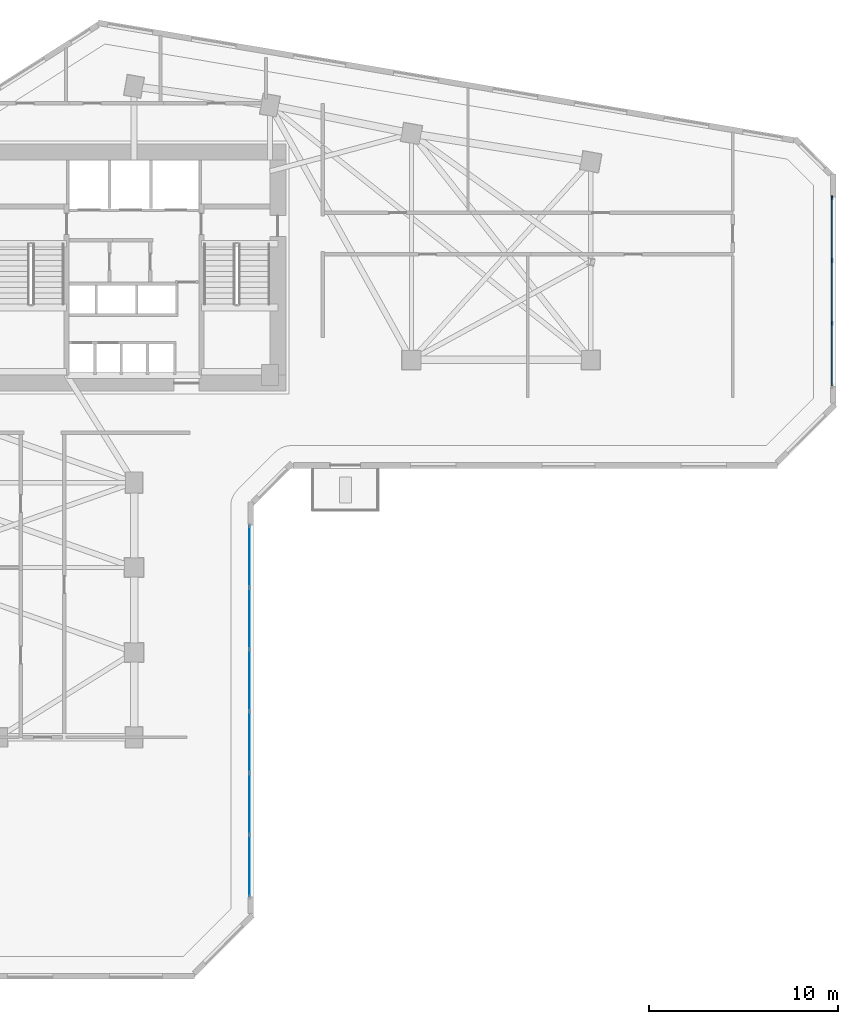
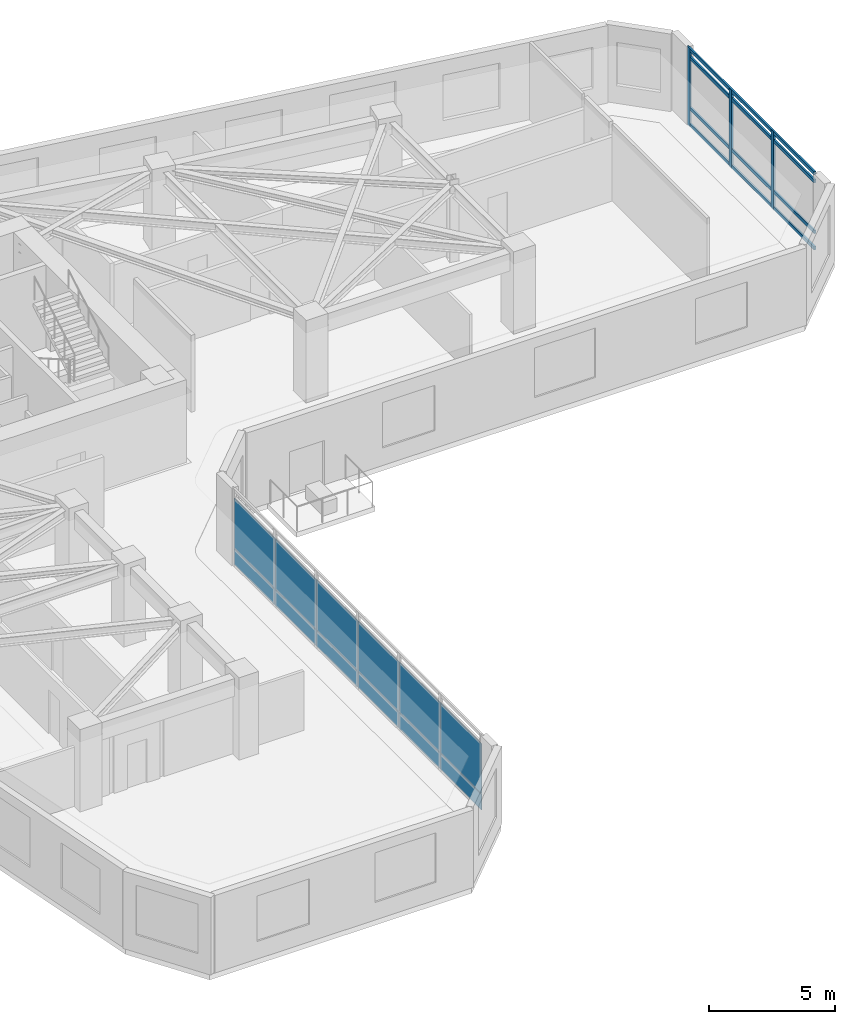
# One storey, part 5 of 11: 12 plates, 7 members, 2 elements without a shape of their own.
"""IFC4 building model written with IfcOpenShell, lengths in metres."""

from ifc_helpers import new_model, si_unit, direction, frame, frame_2d, origin, origin_2d, place, context, subcontext, project, spatial, rectangle, extrude, source, transform, mapped, material, layer, layer_set, material_profile, profile_set, type_object, element, aggregate, save


model = new_model("IFC4")

# Units and contexts
model_context = context("Model", 3, precision=1e-05, world=origin(), true_north=direction((0.0, 1.0)))
body_context = subcontext(model_context, "Body", "Model", "MODEL_VIEW")
ifc_project = project(units=[si_unit("LENGTHUNIT", "METRE"), si_unit("AREAUNIT", "SQUARE_METRE"), si_unit("VOLUMEUNIT", "CUBIC_METRE"), si_unit("PLANEANGLEUNIT", "RADIAN"), si_unit("MASSUNIT", "GRAM", prefix="KILO")], contexts=[model_context])

# Site, building, storey
site_placement = place(None, origin())
site = spatial("IfcSite", under=ifc_project, at=site_placement, CompositionType="ELEMENT")
building_placement = place(site_placement, origin())
building = spatial("IfcBuilding", under=site, at=building_placement, Name="Calvemar Wedge Station Tower", CompositionType="ELEMENT")
storey_placement = place(building_placement, frame((0.0, 0.0, 47.0)))
storey = spatial("IfcBuildingStorey", under=building, at=storey_placement, Name="L11", CompositionType="ELEMENT", Elevation=47.0)

# Curtain wall, members
ifc_material_1 = material(Name="Anodised aluminium 6063-T6", Category="aluminium")
curtain_wall_type = type_object("IfcCurtainWallType", Name="CW1", PredefinedType="NOTDEFINED", material=ifc_material_1)
curtain_wall_1_placement = place(storey_placement, origin())
curtain_wall_1 = element("IfcCurtainWall", 1, at=curtain_wall_1_placement, inside=storey, type_object=curtain_wall_type, Name="Storey L11 CW1 Recessed Unitised Curtain Wall 8", PredefinedType="NOTDEFINED")
ifc_material_profile_1 = material_profile(ifc_material_1, rectangle(XDim=0.080078125, YDim=0.219970703125, at=origin_2d()), Name="AL-MUL-80x220")
ifc_profile_set_1 = profile_set([ifc_material_profile_1], Name="Anodised aluminium 6063-T6")
member_type_1 = type_object("IfcMemberType", Name="CW1-MUL", PredefinedType="MULLION", material=ifc_profile_set_1)
shared_shape_1 = source(origin(), body_context, "Body", "SweptSolid", [
    extrude(rectangle(XDim=0.080078125, YDim=0.219970703125, at=origin_2d()), origin(), (0.0, 0.0, 1.0), 3.800048828125),
])
member_1_placement = place(storey_placement, frame((60.7900390625, 36.947509765625, -0.050048828125), z_axis=(0.0, 0.0, 1.0), x_axis=(1.0, 0.0, 0.0)))
member_1 = element("IfcMember", 2, at=member_1_placement, type_object=member_type_1, Name="CW1 mullion 2", PredefinedType="MULLION", context=body_context, shape_type="MappedRepresentation", body=[
    mapped(shared_shape_1, transform((0.0, 0.0, 0.0), scale=1.0)),
])
member_2_placement = place(storey_placement, frame((60.7900390625, 40.272705078125, -0.050048828125), z_axis=(0.0, 0.0, 1.0), x_axis=(1.0, 0.0, 0.0)))
member_2 = element("IfcMember", 3, at=member_2_placement, type_object=member_type_1, Name="CW1 mullion 3", PredefinedType="MULLION", context=body_context, shape_type="MappedRepresentation", body=[
    mapped(shared_shape_1, transform((0.0, 0.0, 0.0), scale=1.0)),
])
member_3_placement = place(storey_placement, frame((60.7900390625, 43.597900390625, -0.050048828125), z_axis=(0.0, 0.0, 1.0), x_axis=(1.0, 0.0, 0.0)))
member_3 = element("IfcMember", 4, at=member_3_placement, type_object=member_type_1, Name="CW1 mullion 4", PredefinedType="MULLION", context=body_context, shape_type="MappedRepresentation", body=[
    mapped(shared_shape_1, transform((0.0, 0.0, 0.0), scale=1.0)),
])
ifc_material_profile_2 = material_profile(ifc_material_1, rectangle(XDim=0.080078125, YDim=0.159912109375, at=origin_2d()), Name="AL-TRN-80x160")
ifc_profile_set_2 = profile_set([ifc_material_profile_2], Name="Anodised aluminium 6063-T6")
member_type_2 = type_object("IfcMemberType", Name="CW1-TRN", PredefinedType="USERDEFINED", material=ifc_profile_set_2)
shared_shape_2 = source(origin(), body_context, "Body", "SweptSolid", [
    extrude(rectangle(XDim=0.080078125, YDim=0.159912109375, at=origin_2d()), origin(), (0.0, 0.0, 1.0), 9.975830078125),
])
member_4_placement = place(storey_placement, frame((60.7900390625, 33.6220703125, 0.06005859375), z_axis=(0.0, 1.0, 0.0), x_axis=(-1.0, 0.0, 0.0)))
member_4 = element("IfcMember", 5, at=member_4_placement, type_object=member_type_2, Name="CW1 transom 1", ObjectType="TRANSOM", PredefinedType="USERDEFINED", context=body_context, shape_type="MappedRepresentation", body=[
    mapped(shared_shape_2, transform((0.0, 0.0, 0.0), scale=1.0)),
])
member_5_placement = place(storey_placement, frame((60.7900390625, 33.6220703125, 0.85009765625), z_axis=(0.0, 1.0, 0.0), x_axis=(-1.0, 0.0, 0.0)))
member_5 = element("IfcMember", 6, at=member_5_placement, type_object=member_type_2, Name="CW1 transom 2", ObjectType="TRANSOM", PredefinedType="USERDEFINED", context=body_context, shape_type="MappedRepresentation", body=[
    mapped(shared_shape_2, transform((0.0, 0.0, 0.0), scale=1.0)),
])
member_6_placement = place(storey_placement, frame((60.7900390625, 33.6220703125, 3.300048828125), z_axis=(0.0, 1.0, 0.0), x_axis=(-1.0, 0.0, 0.0)))
member_6 = element("IfcMember", 7, at=member_6_placement, type_object=member_type_2, Name="CW1 transom 3", ObjectType="TRANSOM", PredefinedType="USERDEFINED", context=body_context, shape_type="MappedRepresentation", body=[
    mapped(shared_shape_2, transform((0.0, 0.0, 0.0), scale=1.0)),
])
member_7_placement = place(storey_placement, frame((60.7900390625, 33.6220703125, 3.68994140625), z_axis=(0.0, 1.0, 0.0), x_axis=(-1.0, 0.0, 0.0)))
member_7 = element("IfcMember", 8, at=member_7_placement, type_object=member_type_2, Name="CW1 transom 4", ObjectType="TRANSOM", PredefinedType="USERDEFINED", context=body_context, shape_type="MappedRepresentation", body=[
    mapped(shared_shape_2, transform((0.0, 0.0, 0.0), scale=1.0)),
])
aggregate(curtain_wall_1, [member_1, member_2, member_3, member_4, member_5, member_6, member_7])

# Curtain wall, plates
curtain_wall_2_placement = place(storey_placement, origin())
curtain_wall_2 = element("IfcCurtainWall", 9, at=curtain_wall_2_placement, inside=storey, type_object=curtain_wall_type, Name="Storey L11 CW1 Recessed Unitised Curtain Wall 4", PredefinedType="NOTDEFINED")
ifc_material_2 = material(Name="Low-E laminated insulated glass", Category="glass")
ifc_layer_1 = layer(ifc_material_2, 0.028076171875)
ifc_layer_set_1 = layer_set([ifc_layer_1], Name="Low-E laminated insulated glass")
plate_type_1 = type_object("IfcPlateType", Name="CW1-GLZ", PredefinedType="CURTAIN_PANEL", material=ifc_layer_set_1)
plate_1_placement = place(storey_placement, frame((29.91796875, 6.580078125, 0.8701171875), z_axis=(0.0, 0.0, 1.0), x_axis=(0.0, 1.0, 0.0)))
plate_1 = element("IfcPlate", 10, at=plate_1_placement, type_object=plate_type_1, Name="CW1 vision glass panel 1", PredefinedType="CURTAIN_PANEL", context=body_context, shape_type="SweptSolid", body=[
    extrude(rectangle(XDim=3.24072265625, YDim=0.028076171875, at=frame_2d((1.620361328125, 0.0))), origin(), (0.0, 0.0, 1.0), 2.409912109375),
])
plate_2_placement = place(storey_placement, frame((29.91796875, 9.856689453125, 0.8701171875), z_axis=(0.0, 0.0, 1.0), x_axis=(0.0, 1.0, 0.0)))
plate_2 = element("IfcPlate", 11, at=plate_2_placement, type_object=plate_type_1, Name="CW1 vision glass panel 2", PredefinedType="CURTAIN_PANEL", context=body_context, shape_type="SweptSolid", body=[
    extrude(rectangle(XDim=3.24072265625, YDim=0.028076171875, at=frame_2d((1.620361328125, 0.0))), origin(), (0.0, 0.0, 1.0), 2.409912109375),
])
plate_3_placement = place(storey_placement, frame((29.91796875, 13.13330078125, 0.8701171875), z_axis=(0.0, 0.0, 1.0), x_axis=(0.0, 1.0, 0.0)))
plate_3 = element("IfcPlate", 12, at=plate_3_placement, type_object=plate_type_1, Name="CW1 vision glass panel 3", PredefinedType="CURTAIN_PANEL", context=body_context, shape_type="SweptSolid", body=[
    extrude(rectangle(XDim=3.24072265625, YDim=0.028076171875, at=frame_2d((1.620361328125, 0.0))), origin(), (0.0, 0.0, 1.0), 2.409912109375),
])
plate_4_placement = place(storey_placement, frame((29.91796875, 16.41015625, 0.8701171875), z_axis=(0.0, 0.0, 1.0), x_axis=(0.0, 1.0, 0.0)))
plate_4 = element("IfcPlate", 13, at=plate_4_placement, type_object=plate_type_1, Name="CW1 vision glass panel 4", PredefinedType="CURTAIN_PANEL", context=body_context, shape_type="SweptSolid", body=[
    extrude(rectangle(XDim=3.24072265625, YDim=0.028076171875, at=frame_2d((1.620361328125, 0.0))), origin(), (0.0, 0.0, 1.0), 2.409912109375),
])
plate_5_placement = place(storey_placement, frame((29.91796875, 19.686767578125, 0.8701171875), z_axis=(0.0, 0.0, 1.0), x_axis=(0.0, 1.0, 0.0)))
plate_5 = element("IfcPlate", 14, at=plate_5_placement, type_object=plate_type_1, Name="CW1 vision glass panel 5", PredefinedType="CURTAIN_PANEL", context=body_context, shape_type="SweptSolid", body=[
    extrude(rectangle(XDim=3.24072265625, YDim=0.028076171875, at=frame_2d((1.620361328125, 0.0))), origin(), (0.0, 0.0, 1.0), 2.409912109375),
])
plate_6_placement = place(storey_placement, frame((29.91796875, 22.96337890625, 0.8701171875), z_axis=(0.0, 0.0, 1.0), x_axis=(0.0, 1.0, 0.0)))
plate_6 = element("IfcPlate", 15, at=plate_6_placement, type_object=plate_type_1, Name="CW1 vision glass panel 6", PredefinedType="CURTAIN_PANEL", context=body_context, shape_type="SweptSolid", body=[
    extrude(rectangle(XDim=3.24072265625, YDim=0.028076171875, at=frame_2d((1.620361328125, 0.0))), origin(), (0.0, 0.0, 1.0), 2.409912109375),
])
ifc_material_3 = material(Name="Oxidized bronze aluminium spandrel panel 5005-H24", Category="aluminium")
ifc_layer_2 = layer(ifc_material_3, 0.0400390625)
ifc_layer_set_2 = layer_set([ifc_layer_2], Name="Oxidized bronze aluminium spandrel panel 5005-H24")
plate_type_2 = type_object("IfcPlateType", Name="CW1-SPD", PredefinedType="SHEET", material=ifc_layer_set_2)
plate_7_placement = place(storey_placement, frame((29.91796875, 6.580078125, 0.080078125), z_axis=(0.0, 0.0, 1.0), x_axis=(0.0, 1.0, 0.0)))
plate_7 = element("IfcPlate", 16, at=plate_7_placement, type_object=plate_type_2, Name="CW1 bronze spandrel panel 1", PredefinedType="SHEET", context=body_context, shape_type="SweptSolid", body=[
    extrude(rectangle(XDim=3.24072265625, YDim=0.0400390625, at=frame_2d((1.620361328125, 0.0))), origin(), (0.0, 0.0, 1.0), 0.75),
])
plate_8_placement = place(storey_placement, frame((29.91796875, 9.856689453125, 0.080078125), z_axis=(0.0, 0.0, 1.0), x_axis=(0.0, 1.0, 0.0)))
plate_8 = element("IfcPlate", 17, at=plate_8_placement, type_object=plate_type_2, Name="CW1 bronze spandrel panel 2", PredefinedType="SHEET", context=body_context, shape_type="SweptSolid", body=[
    extrude(rectangle(XDim=3.24072265625, YDim=0.0400390625, at=frame_2d((1.620361328125, 0.0))), origin(), (0.0, 0.0, 1.0), 0.75),
])
plate_9_placement = place(storey_placement, frame((29.91796875, 13.13330078125, 0.080078125), z_axis=(0.0, 0.0, 1.0), x_axis=(0.0, 1.0, 0.0)))
plate_9 = element("IfcPlate", 18, at=plate_9_placement, type_object=plate_type_2, Name="CW1 bronze spandrel panel 3", PredefinedType="SHEET", context=body_context, shape_type="SweptSolid", body=[
    extrude(rectangle(XDim=3.24072265625, YDim=0.0400390625, at=frame_2d((1.620361328125, 0.0))), origin(), (0.0, 0.0, 1.0), 0.75),
])
plate_10_placement = place(storey_placement, frame((29.91796875, 16.41015625, 0.080078125), z_axis=(0.0, 0.0, 1.0), x_axis=(0.0, 1.0, 0.0)))
plate_10 = element("IfcPlate", 19, at=plate_10_placement, type_object=plate_type_2, Name="CW1 bronze spandrel panel 4", PredefinedType="SHEET", context=body_context, shape_type="SweptSolid", body=[
    extrude(rectangle(XDim=3.24072265625, YDim=0.0400390625, at=frame_2d((1.620361328125, 0.0))), origin(), (0.0, 0.0, 1.0), 0.75),
])
plate_11_placement = place(storey_placement, frame((29.91796875, 19.686767578125, 0.080078125), z_axis=(0.0, 0.0, 1.0), x_axis=(0.0, 1.0, 0.0)))
plate_11 = element("IfcPlate", 20, at=plate_11_placement, type_object=plate_type_2, Name="CW1 bronze spandrel panel 5", PredefinedType="SHEET", context=body_context, shape_type="SweptSolid", body=[
    extrude(rectangle(XDim=3.24072265625, YDim=0.0400390625, at=frame_2d((1.620361328125, 0.0))), origin(), (0.0, 0.0, 1.0), 0.75),
])
plate_12_placement = place(storey_placement, frame((29.91796875, 22.96337890625, 0.080078125), z_axis=(0.0, 0.0, 1.0), x_axis=(0.0, 1.0, 0.0)))
plate_12 = element("IfcPlate", 21, at=plate_12_placement, type_object=plate_type_2, Name="CW1 bronze spandrel panel 6", PredefinedType="SHEET", context=body_context, shape_type="SweptSolid", body=[
    extrude(rectangle(XDim=3.24072265625, YDim=0.0400390625, at=frame_2d((1.620361328125, 0.0))), origin(), (0.0, 0.0, 1.0), 0.75),
])
aggregate(curtain_wall_2, [plate_7, plate_1, plate_8, plate_2, plate_9, plate_3, plate_10, plate_4, plate_11, plate_5, plate_12, plate_6])

save(model, "model.ifc")
